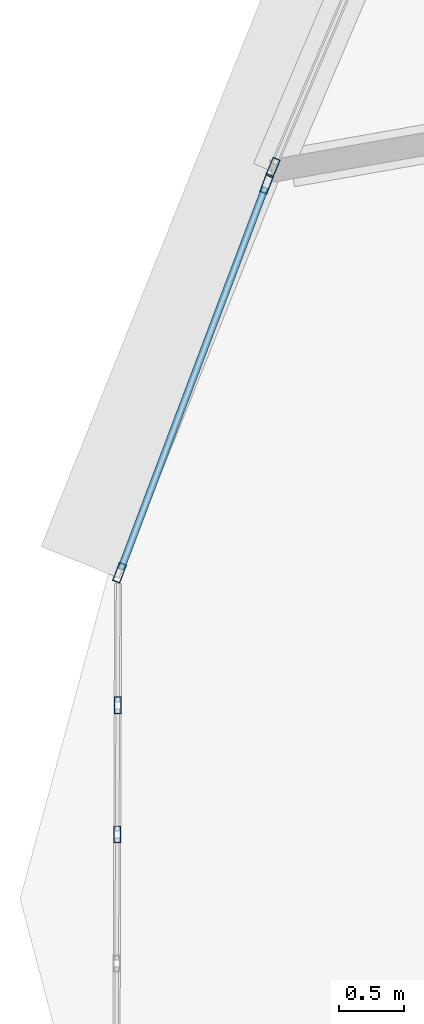
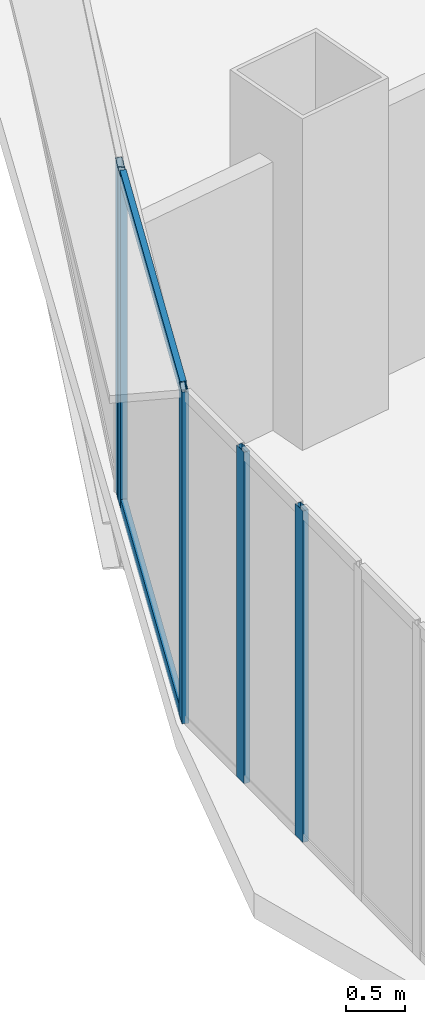
# One storey, part 4 of 42: 7 members, 3 elements without a shape of their own.
"""IFC4 building model written with IfcOpenShell, lengths in metres."""

from ifc_helpers import new_model, si_unit, direction, frame, origin, origin_2d, place, context, subcontext, project, spatial, hollow_rectangle, extrude, source, transform, mapped, material, layer, layer_set, material_profile, profile_set, type_object, element, aggregate, save


model = new_model("IFC4")

# Units and contexts
model_context = context("Model", 3, precision=1e-05, world=origin(), true_north=direction((0.0, 1.0)))
body_context = subcontext(model_context, "Body", "Model", "MODEL_VIEW")
ifc_project = project(units=[si_unit("LENGTHUNIT", "METRE"), si_unit("AREAUNIT", "SQUARE_METRE"), si_unit("VOLUMEUNIT", "CUBIC_METRE"), si_unit("PLANEANGLEUNIT", "RADIAN"), si_unit("MASSUNIT", "GRAM", prefix="KILO"), si_unit("THERMODYNAMICTEMPERATUREUNIT", "KELVIN"), si_unit("POWERUNIT", "WATT")], contexts=[model_context])

# Site, building, storey
site_placement = place(None, origin())
site = spatial("IfcSite", under=ifc_project, at=site_placement, CompositionType="ELEMENT")
building_placement = place(site_placement, origin())
building = spatial("IfcBuilding", under=site, at=building_placement, Name="Yunzhuo Pagoda Commons", CompositionType="ELEMENT")
storey_placement = place(building_placement, frame((0.0, 0.0, 137.18994140625)))
storey = spatial("IfcBuildingStorey", under=building, at=storey_placement, Name="L34", CompositionType="ELEMENT", Elevation=137.18994140625)

# Curtain wall, members
ifc_material = material(Name="Anodized aluminium 6063-T6", Category="aluminium")
ifc_layer_1 = layer(ifc_material, 0.14990234375)
ifc_layer_set_1 = layer_set([ifc_layer_1], Name="Anodized aluminium 6063-T6")
curtain_wall_type_1 = type_object("IfcCurtainWallType", Name="CW-MID Mid-Zone Ribbon Curtain Wall", PredefinedType="NOTDEFINED", material=ifc_layer_set_1)
curtain_wall_1_placement = place(storey_placement, origin())
curtain_wall_1 = element("IfcCurtainWall", 1, at=curtain_wall_1_placement, inside=storey, type_object=curtain_wall_type_1, Name="L34 curtain wall CW-L34-F3B5", PredefinedType="NOTDEFINED")
ifc_material_profile_1 = material_profile(ifc_material, hollow_rectangle(XDim=0.054931640625, YDim=0.1298828125, WallThickness=0.00341796875, at=origin_2d()), Name="Anodized aluminium 6063-T6")
ifc_profile_set_1 = profile_set([ifc_material_profile_1], Name="Anodized aluminium 6063-T6")
member_type_1 = type_object("IfcMemberType", Name="CW-MID-T Transom RHS 130x55x3.5", PredefinedType="USERDEFINED", material=ifc_profile_set_1)
shared_shape_1 = source(origin(), body_context, "Body", "SweptSolid", [
    extrude(hollow_rectangle(XDim=0.054931640625, YDim=0.1298828125, WallThickness=0.00341796875, at=origin_2d()), origin(), (0.0, 0.0, 1.0), 3.15576171875),
])
member_1_placement = place(storey_placement, frame((8.904296875, 26.6884765625, 0.027587890625), z_axis=(-0.353784181355, -0.935327083443, 0.0), x_axis=(0.935327083443, -0.353784181355, 0.0)))
member_1 = element("IfcMember", 2, at=member_1_placement, type_object=member_type_1, Name="CW transom 1.1", ObjectType="TRANSOM", PredefinedType="USERDEFINED", context=body_context, shape_type="MappedRepresentation", body=[
    mapped(shared_shape_1, transform((0.0, 0.0, 0.0), scale=1.0)),
])
member_2_placement = place(storey_placement, frame((8.904296875, 26.6884765625, 3.392822265625), z_axis=(-0.353784181355, -0.935327083443, 0.0), x_axis=(0.935327083443, -0.353784181355, 0.0)))
member_2 = element("IfcMember", 3, at=member_2_placement, type_object=member_type_1, Name="CW transom 1.2", ObjectType="TRANSOM", PredefinedType="USERDEFINED", context=body_context, shape_type="MappedRepresentation", body=[
    mapped(shared_shape_1, transform((0.0, 0.0, 0.0), scale=1.0)),
])

# Curtain wall, member
curtain_wall_2_placement = place(storey_placement, origin())
curtain_wall_2 = element("IfcCurtainWall", 4, at=curtain_wall_2_placement, inside=storey, type_object=curtain_wall_type_1, Name="L34 curtain wall CW-L34-F3B4", PredefinedType="NOTDEFINED")
ifc_material_profile_2 = material_profile(ifc_material, hollow_rectangle(XDim=0.06005859375, YDim=0.14990234375, WallThickness=0.00390625, at=origin_2d()), Name="Anodized aluminium 6063-T6")
ifc_profile_set_2 = profile_set([ifc_material_profile_2], Name="Anodized aluminium 6063-T6")
member_type_2 = type_object("IfcMemberType", Name="CW-MID-M Mullion RHS 150x60x4", PredefinedType="MULLION", material=ifc_profile_set_2)
shared_shape_2 = source(origin(), body_context, "Body", "SweptSolid", [
    extrude(hollow_rectangle(XDim=0.06005859375, YDim=0.14990234375, WallThickness=0.00390625, at=origin_2d()), origin(), (0.0, 0.0, 1.0), 3.420166015625),
])
member_3_placement = place(storey_placement, frame((8.9638671875, 26.84228515625, 0.0), z_axis=(0.0, 0.0, 1.0), x_axis=(0.919928137274, -0.392087008522, 0.0)))
member_3 = element("IfcMember", 5, at=member_3_placement, type_object=member_type_2, Name="CW mullion 2", PredefinedType="MULLION", context=body_context, shape_type="MappedRepresentation", body=[
    mapped(shared_shape_2, transform((0.0, 0.0, 0.0), scale=1.0)),
])
aggregate(curtain_wall_2, [member_3])

# Member
member_4_placement = place(storey_placement, frame((8.9150390625, 26.716552734375, 0.0), z_axis=(0.0, 0.0, 1.0), x_axis=(0.935321752827, -0.353798274003, 0.0)))
member_4 = element("IfcMember", 6, at=member_4_placement, type_object=member_type_2, Name="CW mullion 1", PredefinedType="MULLION", context=body_context, shape_type="MappedRepresentation", body=[
    mapped(shared_shape_2, transform((0.0, 0.0, 0.0), scale=1.0)),
])

member_5_placement = place(storey_placement, frame((7.777099609375, 23.708740234375, 0.0), z_axis=(0.0, 0.0, 1.0), x_axis=(0.935321752827, -0.353798274003, 0.0)))
member_5 = element("IfcMember", 7, at=member_5_placement, type_object=member_type_2, Name="CW mullion 2", PredefinedType="MULLION", context=body_context, shape_type="MappedRepresentation", body=[
    mapped(shared_shape_2, transform((0.0, 0.0, 0.0), scale=1.0)),
])

aggregate(curtain_wall_1, [member_4, member_5, member_1, member_2])

# Curtain wall, members
ifc_layer_2 = layer(ifc_material, 0.1298828125)
ifc_layer_set_2 = layer_set([ifc_layer_2], Name="Anodized aluminium 6063-T6")
curtain_wall_type_2 = type_object("IfcCurtainWallType", Name="CW-VTX Rounded Corner Curtain Wall", PredefinedType="NOTDEFINED", material=ifc_layer_set_2)
curtain_wall_3_placement = place(storey_placement, origin())
curtain_wall_3 = element("IfcCurtainWall", 8, at=curtain_wall_3_placement, inside=storey, type_object=curtain_wall_type_2, Name="L34 curtain wall CW-L34-VTX1S1", PredefinedType="NOTDEFINED")
ifc_material_profile_3 = material_profile(ifc_material, hollow_rectangle(XDim=0.054931640625, YDim=0.1298828125, WallThickness=0.00341796875, at=origin_2d()), Name="Anodized aluminium 6063-T6")
ifc_profile_set_3 = profile_set([ifc_material_profile_3], Name="Anodized aluminium 6063-T6")
member_type_3 = type_object("IfcMemberType", Name="CW-VTX-M Mullion RHS 130x55x3.5", PredefinedType="MULLION", material=ifc_profile_set_3)
shared_shape_3 = source(origin(), body_context, "Body", "SweptSolid", [
    extrude(hollow_rectangle(XDim=0.054931640625, YDim=0.1298828125, WallThickness=0.00341796875, at=origin_2d()), origin(), (0.0, 0.0, 1.0), 3.420166015625),
])
member_6_placement = place(storey_placement, frame((7.76318359375, 22.6826171875, 0.0), z_axis=(0.0, 0.0, 1.0), x_axis=(0.999993568215, -0.003586576275, 0.0)))
member_6 = element("IfcMember", 9, at=member_6_placement, type_object=member_type_3, Name="CW mullion 2", PredefinedType="MULLION", context=body_context, shape_type="MappedRepresentation", body=[
    mapped(shared_shape_3, transform((0.0, 0.0, 0.0), scale=1.0)),
])
member_7_placement = place(storey_placement, frame((7.759765625, 21.684326171875, 0.0), z_axis=(0.0, 0.0, 1.0), x_axis=(0.999993568215, -0.003586576275, 0.0)))
member_7 = element("IfcMember", 10, at=member_7_placement, type_object=member_type_3, Name="CW mullion 3", PredefinedType="MULLION", context=body_context, shape_type="MappedRepresentation", body=[
    mapped(shared_shape_3, transform((0.0, 0.0, 0.0), scale=1.0)),
])
aggregate(curtain_wall_3, [member_6, member_7])

save(model, "model.ifc")
